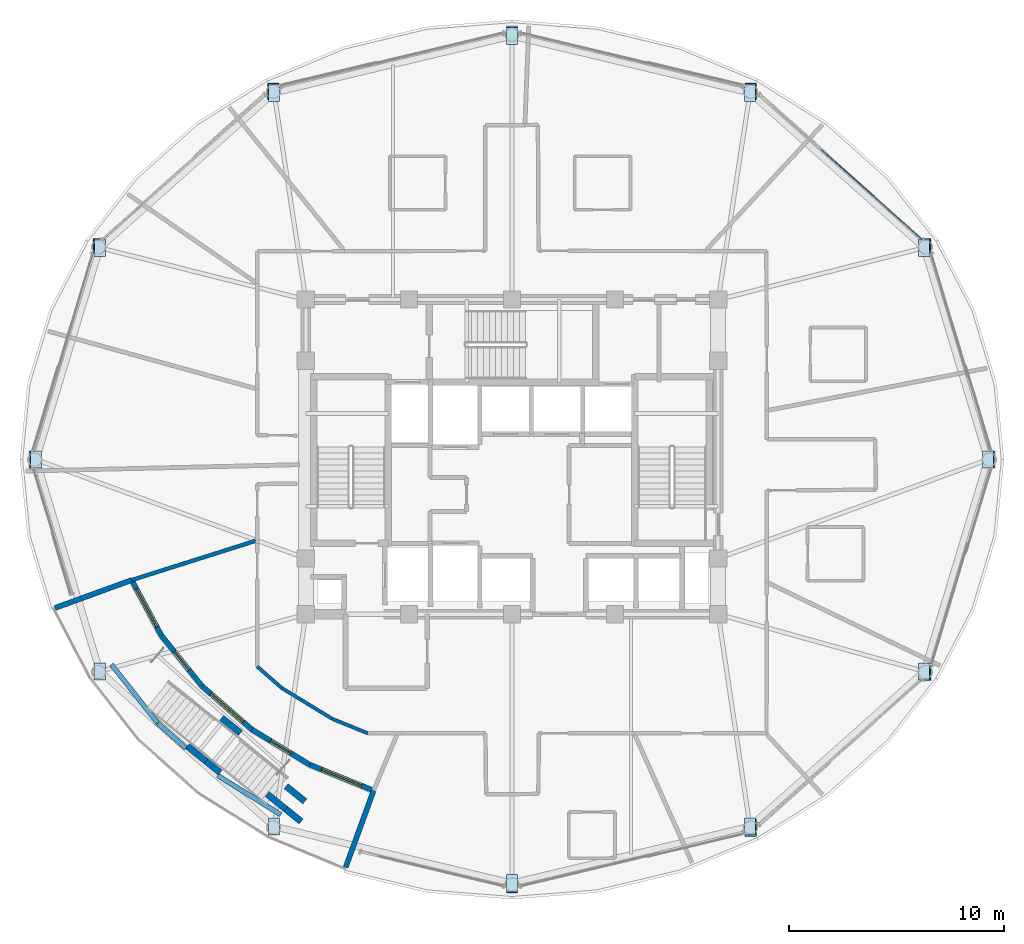
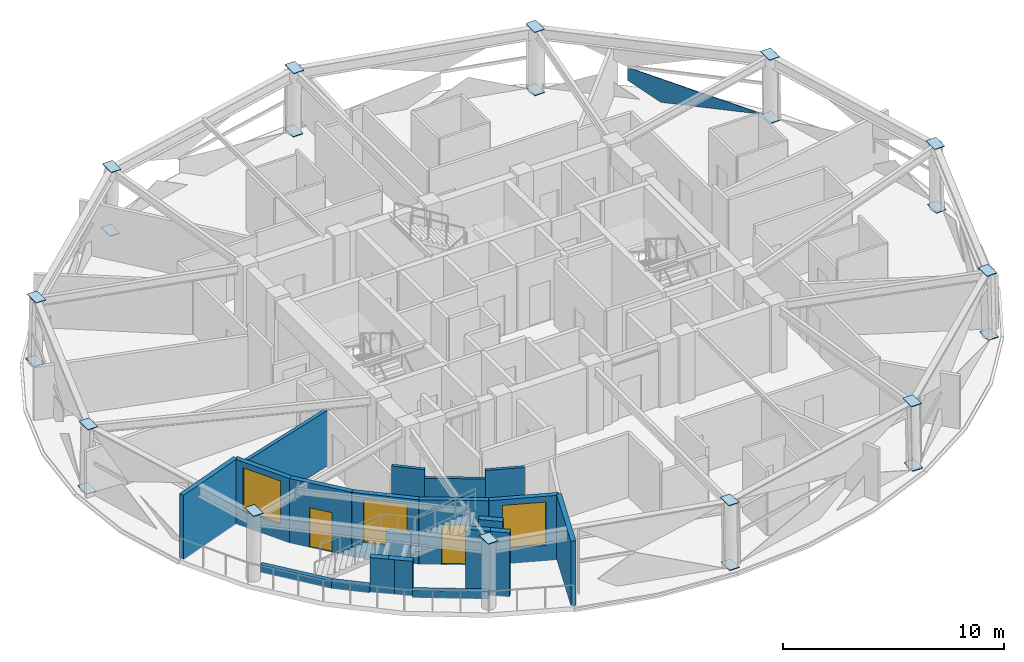
# One storey, part 9 of 17: 23 plates, 20 walls, 3 windows, 2 doors, 5 openings, 1 element without a shape of its own.
"""IFC4 building model written with IfcOpenShell, lengths in metres."""

from ifc_helpers import new_model, si_unit, direction, frame, frame_2d, origin, place, context, subcontext, project, spatial, polyline, rectangle, outline, extrude, material, layer, layer_set, type_object, element, fill, aggregate, save


model = new_model("IFC4")

# Units and contexts
model_context = context("Model", 3, precision=1e-05, world=origin(), true_north=direction((0.0, 1.0)))
body_context = subcontext(model_context, "Body", "Model", "MODEL_VIEW")
ifc_project = project(units=[si_unit("LENGTHUNIT", "METRE"), si_unit("AREAUNIT", "SQUARE_METRE"), si_unit("VOLUMEUNIT", "CUBIC_METRE"), si_unit("PLANEANGLEUNIT", "RADIAN"), si_unit("MASSUNIT", "GRAM", prefix="KILO")], contexts=[model_context])

# Site, building, storey
site_placement = place(None, origin())
site = spatial("IfcSite", under=ifc_project, at=site_placement, CompositionType="ELEMENT")
building_placement = place(site_placement, origin())
building = spatial("IfcBuilding", under=site, at=building_placement, Name="Vantalir Tower", CompositionType="ELEMENT")
storey_placement = place(building_placement, frame((0.0, 0.0, 208.64990234375)))
storey = spatial("IfcBuildingStorey", under=building, at=storey_placement, Name="L52", CompositionType="ELEMENT", Elevation=208.64990234375)

# Curtain wall, plate
ifc_material_1 = material(Name="Champagne-silver PVDF aluminium and double-silver Low-E glass", Category="aluminium")
ifc_layer_1 = layer(ifc_material_1, 0.2099609375)
ifc_layer_set_1 = layer_set([ifc_layer_1], Name="Champagne-silver PVDF aluminium and double-silver Low-E glass")
curtain_wall_type = type_object("IfcCurtainWallType", Name="CW-DIAMOND-Z3", PredefinedType="USERDEFINED", material=ifc_layer_set_1)
curtain_wall_placement = place(storey_placement, origin())
curtain_wall = element("IfcCurtainWall", 1, at=curtain_wall_placement, inside=storey, type_object=curtain_wall_type, Name="L52 Quilted Pyramid-Diamond Curtain Wall S02", ObjectType="UNITISED CURTAIN WALL", PredefinedType="USERDEFINED")
ifc_material_2 = material(Name="Double-silver Low-E acoustic glass IGU", Category="glass")
ifc_layer_2 = layer(ifc_material_2, 0.031982421875)
ifc_layer_set_2 = layer_set([ifc_layer_2], Name="Double-silver Low-E acoustic glass IGU")
plate_type_1 = type_object("IfcPlateType", Name="CWP-IGU-32", PredefinedType="CURTAIN_PANEL", material=ifc_layer_set_2)
plate_1_placement = place(storey_placement, frame((50.602783203125, 35.273681640625, 0.046630859375), z_axis=(0.665323940751, 0.746536204995, 0.005267684086), x_axis=(-0.746546742623, 0.665332968084, 5.157967e-05)))
plate_1 = element("IfcPlate", 2, at=plate_1_placement, type_object=plate_type_1, Name="CW-L52-S02 Pyramid Diamond Facet 1L", PredefinedType="CURTAIN_PANEL", context=body_context, shape_type="SweptSolid", body=[
    extrude(outline(polyline([(0.0, 0.0), (4.7473221978348, 2.1141942363467336e-18), (6.284743695583536, 0.9974924102488022), (6.284836928178147, 1.7257747199104982), (0.0, 0.0)])), origin(), (0.0, 0.0, -1.0), 0.031982421875),
])
aggregate(curtain_wall, [plate_1])

# Plates
ifc_material_3 = material(Name="Steel S460", Category="steel")
ifc_layer_3 = layer(ifc_material_3, 0.031982421875)
ifc_layer_set_3 = layer_set([ifc_layer_3], Name="Steel S460")
plate_type_2 = type_object("IfcPlateType", Name="PLT-KN-Z3", PredefinedType="USERDEFINED", material=ifc_layer_set_3)
plate_2_placement = place(storey_placement, frame((53.400634765625, 25.39990234375, 3.5888671875), z_axis=(-0.020193157439, 0.0, 0.999796097408), x_axis=(0.0, -1.0, 0.0)))
element("IfcPlate", 3, at=plate_2_placement, inside=storey, type_object=plate_type_2, Name="L52 Ring Column Top Cap RC01", ObjectType="FLANGE_PLATE", PredefinedType="USERDEFINED", context=body_context, shape_type="SweptSolid", body=[
    extrude(outline(polyline([(0.0, 0.0), (0.7998046875, 0.0), (0.7998046875, 0.5198813957890405), (0.0, 0.5198813957890405), (0.0, 0.0)])), origin(), (0.0, 0.0, -1.0), 0.031982421875),
])
plate_3_placement = place(storey_placement, frame((53.472900390625, 25.39990234375, 0.0478515625), z_axis=(-0.020183680947, 0.0, 0.999796288763), x_axis=(0.0, -1.0, 0.0)))
element("IfcPlate", 4, at=plate_3_placement, inside=storey, type_object=plate_type_2, Name="L52 Ring Column Base Cap RC01", ObjectType="FLANGE_PLATE", PredefinedType="USERDEFINED", context=body_context, shape_type="SweptSolid", body=[
    extrude(outline(polyline([(0.0, 0.0), (0.7998046875, 0.0), (0.7998046875, 0.5201254866564985), (0.0, 0.5201254866564985), (0.0, 0.0)])), origin(), (0.0, 0.0, -1.0), 0.031982421875),
])
plate_4_placement = place(storey_placement, frame((50.431640625, 35.2626953125, 3.59326171875), z_axis=(-0.017612593845, -0.009306866435, 0.9998015697), x_axis=(-2.712488e-06, -0.999956676293, -0.009308358062)))
element("IfcPlate", 5, at=plate_4_placement, inside=storey, type_object=plate_type_2, Name="L52 Ring Column Top Cap RC02", ObjectType="FLANGE_PLATE", PredefinedType="USERDEFINED", context=body_context, shape_type="SweptSolid", body=[
    extrude(outline(polyline([(0.0, 0.0), (0.7998404859950212, -8.131516293641283e-20), (0.7999968493209326, 0.5198581977690956), (-8.549417365676687e-05, 0.519853857324311), (0.0, 0.0)])), origin(), (0.0, 0.0, -1.0), 0.031982421875),
])
plate_5_placement = place(storey_placement, frame((50.494140625, 35.295654296875, 0.05224609375), z_axis=(-0.017377848445, -0.009154345358, 0.999807085564), x_axis=(2.4272e-08, -0.999958085448, -0.009155727508)))
element("IfcPlate", 6, at=plate_5_placement, inside=storey, type_object=plate_type_2, Name="L52 Ring Column Base Cap RC02", ObjectType="FLANGE_PLATE", PredefinedType="USERDEFINED", context=body_context, shape_type="SweptSolid", body=[
    extrude(outline(polyline([(0.0, 0.0), (0.8000823529882628, 0.0), (0.7999996600577103, 0.5198538723705918), (0.0001614374614026997, 0.5198539112091117), (0.0, 0.0)])), origin(), (0.0, 0.0, -1.0), 0.031982421875),
])
plate_6_placement = place(storey_placement, frame((42.31982421875, 42.483642578125, 3.597900390625), z_axis=(-0.010326737224, -0.016170352113, 0.999815922163), x_axis=(0.0, -0.999869237363, -0.016171214397)))
element("IfcPlate", 7, at=plate_6_placement, inside=storey, type_object=plate_type_2, Name="L52 Ring Column Top Cap RC03", ObjectType="FLANGE_PLATE", PredefinedType="USERDEFINED", context=body_context, shape_type="SweptSolid", body=[
    extrude(outline(polyline([(0.0, 0.0), (0.8001534583011936, -2.710505431213761e-20), (0.8000666011926139, 0.5200472612997626), (-8.68571085797203e-05, 0.5200472612997626), (0.0, 0.0)])), origin(), (0.0, 0.0, -1.0), 0.031982421875),
])
plate_7_placement = place(storey_placement, frame((42.3564453125, 42.5400390625, 0.056884765625), z_axis=(-0.0103267364, -0.016175286827, 0.999815842349), x_axis=(0.0, -0.999869157536, -0.016176149374)))
element("IfcPlate", 8, at=plate_7_placement, inside=storey, type_object=plate_type_2, Name="L52 Ring Column Base Cap RC03", ObjectType="FLANGE_PLATE", PredefinedType="USERDEFINED", context=body_context, shape_type="SweptSolid", body=[
    extrude(outline(polyline([(0.0, 0.0), (0.7999093496104085, 0.0), (0.7998224659956065, 0.5200472612953351), (-8.688361480204548e-05, 0.5200472612953351), (0.0, 0.0)])), origin(), (0.0, 0.0, -1.0), 0.031982421875),
])
for number, where, z_axis, x_axis, name in (
    (9, (31.239990234375, 45.12646484375, 3.6015625), (0.0, -0.018617041502, 0.999826687864), (0.0, -0.999826687864, -0.018617041502), "L52 Ring Column Top Cap RC04"),
    (10, (31.239990234375, 45.19189453125, 0.060546875), (0.0, -0.018617041502, 0.999826687864), (0.0, -0.999826687864, -0.018617041502), "L52 Ring Column Base Cap RC04"),
):
    element("IfcPlate", number, at=place(storey_placement, frame(where, z_axis=z_axis, x_axis=x_axis)), inside=storey, type_object=plate_type_2, Name=name, ObjectType="FLANGE_PLATE", PredefinedType="USERDEFINED", context=body_context, shape_type="SweptSolid", body=[
        extrude(outline(polyline([(0.0, 0.0), (0.799943327386498, 0.0), (0.799943327386498, 0.52001953125), (0.0, 0.52001953125), (0.0, 0.0)])), origin(), (0.0, 0.0, -1.0), 0.031982421875),
    ])
plate_8_placement = place(storey_placement, frame((20.16015625, 42.483642578125, 3.603271484375), z_axis=(0.010326737224, -0.016170352113, 0.999815922163), x_axis=(0.0, -0.999869237363, -0.016171214397)))
element("IfcPlate", 11, at=plate_8_placement, inside=storey, type_object=plate_type_2, Name="L52 Ring Column Top Cap RC05", ObjectType="FLANGE_PLATE", PredefinedType="USERDEFINED", context=body_context, shape_type="SweptSolid", body=[
    extrude(outline(polyline([(0.0, 0.0), (0.8001534583011936, 2.710505431213761e-20), (0.8002403154097733, 0.5200472612997626), (8.68571085797203e-05, 0.5200472612997626), (0.0, 0.0)])), origin(), (0.0, 0.0, -1.0), 0.031982421875),
])
plate_9_placement = place(storey_placement, frame((20.12353515625, 42.5400390625, 0.062255859375), z_axis=(0.0103267364, -0.016175286827, 0.999815842349), x_axis=(0.0, -0.999869157536, -0.016176149374)))
element("IfcPlate", 12, at=plate_9_placement, inside=storey, type_object=plate_type_2, Name="L52 Ring Column Base Cap RC05", ObjectType="FLANGE_PLATE", PredefinedType="USERDEFINED", context=body_context, shape_type="SweptSolid", body=[
    extrude(outline(polyline([(0.0, 0.0), (0.7999093496104085, 0.0), (0.7999962332252105, 0.5200472612953352), (8.688361480204548e-05, 0.5200472612953351), (0.0, 0.0)])), origin(), (0.0, 0.0, -1.0), 0.031982421875),
])
plate_10_placement = place(storey_placement, frame((12.048583984375, 35.2626953125, 3.602294921875), z_axis=(0.017612593845, -0.009306866435, 0.9998015697), x_axis=(-2.711668e-06, -0.999956677182, -0.009308262518)))
element("IfcPlate", 13, at=plate_10_placement, inside=storey, type_object=plate_type_2, Name="L52 Ring Column Top Cap RC06", ObjectType="FLANGE_PLATE", PredefinedType="USERDEFINED", context=body_context, shape_type="SweptSolid", body=[
    extrude(outline(polyline([(0.0, 0.0), (0.8000823435063629, 0.0), (0.7999231599509843, 0.5198581969131749), (8.267396773287177e-05, 0.5198538577804668), (0.0, 0.0)])), origin(), (0.0, 0.0, -1.0), 0.031982421875),
])
plate_11_placement = place(storey_placement, frame((11.986083984375, 35.29541015625, 0.061279296875), z_axis=(0.017377848445, -0.009154345358, 0.999807085564), x_axis=(2.4279e-08, -0.999958085441, -0.009155728352)))
element("IfcPlate", 14, at=plate_11_placement, inside=storey, type_object=plate_type_2, Name="L52 Ring Column Base Cap RC06", ObjectType="FLANGE_PLATE", PredefinedType="USERDEFINED", context=body_context, shape_type="SweptSolid", body=[
    extrude(outline(polyline([(0.0, 0.0), (0.7998382225963084, 0.0), (0.7999209407699095, 0.5198538723665758), (-0.0001614122183523162, 0.5198539112169501), (0.0, 0.0)])), origin(), (0.0, 0.0, -1.0), 0.031982421875),
])
plate_12_placement = place(storey_placement, frame((9.07958984375, 25.39990234375, 3.599365234375), z_axis=(0.020193157439, 0.0, 0.999796097408), x_axis=(0.0, -1.0, 0.0)))
element("IfcPlate", 15, at=plate_12_placement, inside=storey, type_object=plate_type_2, Name="L52 Ring Column Top Cap RC07", ObjectType="FLANGE_PLATE", PredefinedType="USERDEFINED", context=body_context, shape_type="SweptSolid", body=[
    extrude(outline(polyline([(0.0, 0.0), (0.7998046875, 0.0), (0.7998046875, 0.5198813957890405), (0.0, 0.5198813957890405), (0.0, 0.0)])), origin(), (0.0, 0.0, -1.0), 0.031982421875),
])
plate_13_placement = place(storey_placement, frame((9.007080078125, 25.39990234375, 0.058349609375), z_axis=(0.020183680947, 0.0, 0.999796288763), x_axis=(0.0, -1.0, 0.0)))
element("IfcPlate", 16, at=plate_13_placement, inside=storey, type_object=plate_type_2, Name="L52 Ring Column Base Cap RC07", ObjectType="FLANGE_PLATE", PredefinedType="USERDEFINED", context=body_context, shape_type="SweptSolid", body=[
    extrude(outline(polyline([(0.0, 0.0), (0.7998046875, 0.0), (0.7998046875, 0.5201254866564985), (0.0, 0.5201254866564985), (0.0, 0.0)])), origin(), (0.0, 0.0, -1.0), 0.031982421875),
])
plate_14_placement = place(storey_placement, frame((12.04833984375, 15.5361328125, 3.7490234375), z_axis=(0.016900409973, 0.008849297262, 0.999818016481), x_axis=(-2.2825e-08, -0.999960833012, 0.008850561703)))
element("IfcPlate", 17, at=plate_14_placement, inside=storey, type_object=plate_type_2, Name="L52 Ring Column Top Cap RC08", ObjectType="FLANGE_PLATE", PredefinedType="USERDEFINED", context=body_context, shape_type="SweptSolid", body=[
    extrude(outline(polyline([(0.0, 0.0), (0.799836024227505, -2.710505431213761e-20), (0.8000023552807156, 0.520093830417702), (-7.780000953635313e-05, 0.5200937938940344), (0.0, 0.0)])), origin(), (0.0, 0.0, -1.0), 0.031982421875),
])
plate_15_placement = place(storey_placement, frame((20.1591796875, 8.31640625, 3.744384765625), z_axis=(0.009626441721, 0.015410243606, 0.999834914379), x_axis=(-1.445737e-06, -0.999881243925, 0.015410971593)))
element("IfcPlate", 18, at=plate_15_placement, inside=storey, type_object=plate_type_2, Name="L52 Ring Column Top Cap RC09", ObjectType="FLANGE_PLATE", PredefinedType="USERDEFINED", context=body_context, shape_type="SweptSolid", body=[
    extrude(outline(polyline([(0.0, 0.0), (0.8001457021222145, -2.710505431213761e-20), (0.8000659389818389, 0.5200447843475233), (0.0001681109356785801, 0.5200424709984204), (0.0, 0.0)])), origin(), (0.0, 0.0, -1.0), 0.031982421875),
])
for number, where, z_axis, x_axis, name in (
    (19, (31.239990234375, 5.67333984375, 3.586669921875), (0.0, 0.018617041502, 0.999826687864), (0.0, -0.999826687864, 0.018617041502), "L52 Ring Column Top Cap RC10"),
    (20, (31.239990234375, 5.60791015625, 0.045654296875), (0.0, 0.018617041502, 0.999826687864), (0.0, -0.999826687864, 0.018617041502), "L52 Ring Column Base Cap RC10"),
):
    element("IfcPlate", number, at=place(storey_placement, frame(where, z_axis=z_axis, x_axis=x_axis)), inside=storey, type_object=plate_type_2, Name=name, ObjectType="FLANGE_PLATE", PredefinedType="USERDEFINED", context=body_context, shape_type="SweptSolid", body=[
        extrude(outline(polyline([(0.0, 0.0), (0.799943327386498, 0.0), (0.799943327386498, 0.52001953125), (0.0, 0.52001953125), (0.0, 0.0)])), origin(), (0.0, 0.0, -1.0), 0.031982421875),
    ])
plate_16_placement = place(storey_placement, frame((42.31982421875, 8.31640625, 3.5849609375), z_axis=(-0.010326737224, 0.016170352113, 0.999815922163), x_axis=(0.0, -0.999869237363, 0.016171214397)))
element("IfcPlate", 21, at=plate_16_placement, inside=storey, type_object=plate_type_2, Name="L52 Ring Column Top Cap RC11", ObjectType="FLANGE_PLATE", PredefinedType="USERDEFINED", context=body_context, shape_type="SweptSolid", body=[
    extrude(outline(polyline([(0.0, 0.0), (0.8001534583011936, 2.710505431213761e-20), (0.8002403154097733, 0.5200472612997626), (8.68571085797203e-05, 0.5200472612997626), (0.0, 0.0)])), origin(), (0.0, 0.0, -1.0), 0.031982421875),
])
plate_17_placement = place(storey_placement, frame((42.3564453125, 8.259765625, 0.0439453125), z_axis=(-0.0103267364, 0.016175286827, 0.999815842349), x_axis=(0.0, -0.999869157536, 0.016176149374)))
element("IfcPlate", 22, at=plate_17_placement, inside=storey, type_object=plate_type_2, Name="L52 Ring Column Base Cap RC11", ObjectType="FLANGE_PLATE", PredefinedType="USERDEFINED", context=body_context, shape_type="SweptSolid", body=[
    extrude(outline(polyline([(0.0, 0.0), (0.7999093496104085, 0.0), (0.7999962332252105, 0.5200472612953352), (8.688361480204548e-05, 0.5200472612953351), (0.0, 0.0)])), origin(), (0.0, 0.0, -1.0), 0.031982421875),
])
plate_18_placement = place(storey_placement, frame((50.431640625, 15.5361328125, 3.585693359375), z_axis=(-0.017612593845, 0.009306866435, 0.9998015697), x_axis=(2.661642e-06, -0.999956676301, 0.009308357166)))
element("IfcPlate", 23, at=plate_18_placement, inside=storey, type_object=plate_type_2, Name="L52 Ring Column Top Cap RC12", ObjectType="FLANGE_PLATE", PredefinedType="USERDEFINED", context=body_context, shape_type="SweptSolid", body=[
    extrude(outline(polyline([(0.0, 0.0), (0.8000846160429455, -2.710505431213761e-20), (0.7999259537319866, 0.5198538980038114), (8.774028510258986e-05, 0.5198581570859899), (0.0, 0.0)])), origin(), (0.0, 0.0, -1.0), 0.031982421875),
])
plate_19_placement = place(storey_placement, frame((50.494140625, 15.50341796875, 0.044921875), z_axis=(-0.017377848445, 0.009154345358, 0.999807085564), x_axis=(-2.4272e-08, -0.999958085448, 0.009155727508)))
element("IfcPlate", 24, at=plate_19_placement, inside=storey, type_object=plate_type_2, Name="L52 Ring Column Base Cap RC12", ObjectType="FLANGE_PLATE", PredefinedType="USERDEFINED", context=body_context, shape_type="SweptSolid", body=[
    extrude(outline(polyline([(0.0, 0.0), (0.8000823529882628, 0.0), (0.79992091552686, 0.5198539112091117), (8.26929305524959e-05, 0.5198538723705917), (0.0, 0.0)])), origin(), (0.0, 0.0, -1.0), 0.031982421875),
])

# Walls
ifc_material_4 = material(Name="Fire-rated hotel corridor acoustic partition", Category="gypsum")
ifc_layer_4 = layer(ifc_material_4, 0.159912109375)
ifc_layer_set_4 = layer_set([ifc_layer_4], Name="Fire-rated hotel corridor acoustic partition")
wall_type_1 = type_object("IfcWallType", Name="WL-CORR-160", PredefinedType="PARTITIONING", material=ifc_layer_set_4)
wall_1_placement = place(storey_placement, frame((24.7919921875, 12.251953125, 0.0), z_axis=(0.0, 0.0, 1.0), x_axis=(-0.926357707628, 0.376644922331, 0.0)))
element("IfcWall", 25, at=wall_1_placement, inside=storey, type_object=wall_type_1, Name="L52 Corridor Partition 27", PredefinedType="PARTITIONING", context=body_context, shape_type="SweptSolid", body=[
    extrude(rectangle(XDim=1.784423828125, YDim=0.159912109375, at=frame_2d((0.89208984375, 0.0))), origin(), (0.0, 0.0, 1.0), 3.550048828125),
])
wall_2_placement = place(storey_placement, frame((23.138916015625, 12.924072265625, 0.0), z_axis=(0.0, 0.0, 1.0), x_axis=(-0.85378945304, 0.520618449421, 0.0)))
element("IfcWall", 26, at=wall_2_placement, inside=storey, type_object=wall_type_1, Name="L52 Corridor Partition 28", PredefinedType="PARTITIONING", context=body_context, shape_type="SweptSolid", body=[
    extrude(rectangle(XDim=2.755859375, YDim=0.159912109375, at=frame_2d((1.3779296875, 0.0))), origin(), (0.0, 0.0, 1.0), 3.0810546875),
])
wall_3_placement = place(storey_placement, frame((20.785888671875, 14.35888671875, 0.0), z_axis=(0.0, 0.0, 1.0), x_axis=(-0.752715630193, 0.658345790648, 0.0)))
element("IfcWall", 27, at=wall_3_placement, inside=storey, type_object=wall_type_1, Name="L52 Corridor Partition 29", PredefinedType="PARTITIONING", context=body_context, shape_type="SweptSolid", body=[
    extrude(rectangle(XDim=1.523681640625, YDim=0.159912109375, at=frame_2d((0.76171875, 0.0))), origin(), (0.0, 0.0, 1.0), 3.550048828125),
])
ifc_material_5 = material(Name="Precast concrete C40/50 insulated sky-garden wall", Category="concrete")
ifc_layer_5 = layer(ifc_material_5, 0.239990234375)
ifc_layer_set_5 = layer_set([ifc_layer_5], Name="Precast concrete C40/50 insulated sky-garden wall")
wall_type_2 = type_object("IfcWallType", Name="WL-EXT-SG-240", PredefinedType="SOLIDWALL", material=ifc_layer_set_5)
wall_4_placement = place(storey_placement, frame((10.221923828125, 18.090087890625, 0.0), z_axis=(0.0, 0.0, 1.0), x_axis=(0.939658265612, 0.342114518643, 0.0)))
element("IfcWall", 28, at=wall_4_placement, inside=storey, type_object=wall_type_2, Name="L52 SG3 Sky-Garden Return Wall A", PredefinedType="SOLIDWALL", context=body_context, shape_type="SweptSolid", body=[
    extrude(rectangle(XDim=3.79931640625, YDim=0.239990234375, at=frame_2d((1.899658203125, 0.0))), origin(), (0.0, 0.0, 1.0), 3.570068359375),
])
wall_5_placement = place(storey_placement, frame((25.054931640625, 9.5859375, 0.0), z_axis=(0.0, 0.0, 1.0), x_axis=(-0.342088633789, -0.939667689469, 0.0)))
element("IfcWall", 29, at=wall_5_placement, inside=storey, type_object=wall_type_2, Name="L52 SG3 Sky-Garden Return Wall B", PredefinedType="SOLIDWALL", context=body_context, shape_type="SweptSolid", body=[
    extrude(rectangle(XDim=3.80029296875, YDim=0.239990234375, at=frame_2d((1.900146484375, 0.0))), origin(), (0.0, 0.0, 1.0), 3.570068359375),
])

# Wall, opening, window
wall_6_placement = place(storey_placement, frame((13.7919921875, 19.389892578125, 0.0), z_axis=(0.0, 0.0, 1.0), x_axis=(0.47234121734, -0.881415778394, 0.0)))
wall_6 = element("IfcWall", 30, at=wall_6_placement, inside=storey, type_object=wall_type_2, Name="L52 SG3 Sky-Garden Lounge Wall 1", PredefinedType="SOLIDWALL", context=body_context, shape_type="SweptSolid", body=[
    extrude(rectangle(XDim=2.9404296875, YDim=0.239990234375, at=frame_2d((1.47021484375, 0.0))), origin(), (0.0, 0.0, 1.0), 3.570068359375),
])
opening_1_placement = place(wall_6_placement, frame((0.469970703125, 0.0, 0.85009765625)))
opening_1 = element("IfcOpeningElement", 31, at=opening_1_placement, cuts=wall_6, Name="Opening WN-3", PredefinedType="OPENING", context=body_context, shape_type="SweptSolid", body=[
    extrude(rectangle(XDim=2.0, YDim=2.39990234375, at=frame_2d((1.0, 1.199951171875))), frame((0.0, 0.1298828125, 0.0), z_axis=(0.0, -1.0, 0.0), x_axis=(1.0, 0.0, 0.0)), (0.0, 0.0, 1.0), 0.260009765625),
])
ifc_material_6 = material(Name="Double-silver Low-E sky-garden lounge window", Category="glass")
window_type = type_object("IfcWindowType", Name="WIN-SG-2000x2400", PartitioningType="SINGLE_PANEL", PredefinedType="WINDOW", material=ifc_material_6)
window_1_placement = place(opening_1_placement, origin())
window_1 = element("IfcWindow", 32, at=window_1_placement, inside=storey, type_object=window_type, Name="L52 SG3 Sky-Garden Window 1", OverallHeight=2.39990234375, OverallWidth=2.0, PartitioningType="SINGLE_PANEL", PredefinedType="WINDOW", context=body_context, shape_type="SweptSolid", body=[
    extrude(rectangle(XDim=2.0, YDim=2.39990234375, at=frame_2d((1.0, 1.199951171875))), frame((0.0, 0.030029296875, 0.0), z_axis=(0.0, -1.0, 0.0), x_axis=(1.0, 0.0, 0.0)), (0.0, 0.0, 1.0), 0.06005859375),
])
fill(opening_1, window_1)

# Wall, opening, door
wall_7_placement = place(storey_placement, frame((15.180908203125, 16.798095703125, 0.0), z_axis=(0.0, 0.0, 1.0), x_axis=(0.626802600126, -0.779178092913, 0.0)))
wall_7 = element("IfcWall", 33, at=wall_7_placement, inside=storey, type_object=wall_type_2, Name="L52 SG3 Sky-Garden Lounge Wall 2", PredefinedType="SOLIDWALL", context=body_context, shape_type="SweptSolid", body=[
    extrude(rectangle(XDim=3.005859375, YDim=0.239990234375, at=frame_2d((1.5029296875, 0.0))), origin(), (0.0, 0.0, 1.0), 3.570068359375),
])
opening_2_placement = place(wall_7_placement, frame((0.952880859375, 0.0, 0.0)))
opening_2 = element("IfcOpeningElement", 34, at=opening_2_placement, cuts=wall_7, Name="Opening D-TR", PredefinedType="OPENING", context=body_context, shape_type="SweptSolid", body=[
    extrude(rectangle(XDim=1.10009765625, YDim=2.199951171875, at=frame_2d((0.550048828125, 1.10009765625))), frame((0.0, 0.1298828125, 0.0), z_axis=(0.0, -1.0, 0.0), x_axis=(1.0, 0.0, 0.0)), (0.0, 0.0, 1.0), 0.260009765625),
])
ifc_material_7 = material(Name="Thermally broken Low-E glazed terrace door", Category="steel")
door_type = type_object("IfcDoorType", Name="DR-EXT-TERR-1100", OperationType="NOTDEFINED", PredefinedType="DOOR", material=ifc_material_7)
door_1_placement = place(opening_2_placement, frame((1.10009765625, 0.0, 0.0), z_axis=(0.0, 0.0, 1.0), x_axis=(-1.0, 0.0, 0.0)))
door_1 = element("IfcDoor", 35, at=door_1_placement, inside=storey, type_object=door_type, Name="L52 SG3 Sky-Garden Terrace Door 1", OperationType="SINGLE_SWING_LEFT", OverallHeight=2.199951171875, OverallWidth=1.10009765625, PredefinedType="DOOR", context=body_context, shape_type="SweptSolid", body=[
    extrude(rectangle(XDim=1.10009765625, YDim=2.199951171875, at=frame_2d((0.550048828125, 1.10009765625))), frame((0.0, 0.02490234375, 0.0), z_axis=(0.0, -1.0, 0.0), x_axis=(1.0, 0.0, 0.0)), (0.0, 0.0, 1.0), 0.050048828125),
])
fill(opening_2, door_1)

# Wall, opening, window
wall_8_placement = place(storey_placement, frame((17.06494140625, 14.4560546875, 0.0), z_axis=(0.0, 0.0, 1.0), x_axis=(0.75430835603, -0.656520299781, 0.0)))
wall_8 = element("IfcWall", 36, at=wall_8_placement, inside=storey, type_object=wall_type_2, Name="L52 SG3 Sky-Garden Lounge Wall 3", PredefinedType="SOLIDWALL", context=body_context, shape_type="SweptSolid", body=[
    extrude(rectangle(XDim=3.078369140625, YDim=0.239990234375, at=frame_2d((1.5390625, 0.0))), origin(), (0.0, 0.0, 1.0), 3.570068359375),
])
opening_3_placement = place(wall_8_placement, frame((0.5390625, 0.0, 0.85009765625)))
opening_3 = element("IfcOpeningElement", 37, at=opening_3_placement, cuts=wall_8, Name="Opening WN-3", PredefinedType="OPENING", context=body_context, shape_type="SweptSolid", body=[
    extrude(rectangle(XDim=2.0, YDim=2.39990234375, at=frame_2d((1.0, 1.199951171875))), frame((0.0, 0.1298828125, 0.0), z_axis=(0.0, -1.0, 0.0), x_axis=(1.0, 0.0, 0.0)), (0.0, 0.0, 1.0), 0.260009765625),
])
window_2_placement = place(opening_3_placement, origin())
window_2 = element("IfcWindow", 38, at=window_2_placement, inside=storey, type_object=window_type, Name="L52 SG3 Sky-Garden Window 3", OverallHeight=2.39990234375, OverallWidth=2.0, PartitioningType="SINGLE_PANEL", PredefinedType="WINDOW", context=body_context, shape_type="SweptSolid", body=[
    extrude(rectangle(XDim=2.0, YDim=2.39990234375, at=frame_2d((1.0, 1.199951171875))), frame((0.0, 0.030029296875, 0.0), z_axis=(0.0, -1.0, 0.0), x_axis=(1.0, 0.0, 0.0)), (0.0, 0.0, 1.0), 0.06005859375),
])
fill(opening_3, window_2)

# Wall, opening, door
wall_9_placement = place(storey_placement, frame((19.386962890625, 12.43505859375, 0.0), z_axis=(0.0, 0.0, 1.0), x_axis=(0.853890229522, -0.520453144795, 0.0)))
wall_9 = element("IfcWall", 39, at=wall_9_placement, inside=storey, type_object=wall_type_2, Name="L52 SG3 Sky-Garden Lounge Wall 4", PredefinedType="SOLIDWALL", context=body_context, shape_type="SweptSolid", body=[
    extrude(rectangle(XDim=3.1513671875, YDim=0.239990234375, at=frame_2d((1.57568359375, 0.0))), origin(), (0.0, 0.0, 1.0), 3.570068359375),
])
opening_4_placement = place(wall_9_placement, frame((1.02587890625, 0.0, 0.0)))
opening_4 = element("IfcOpeningElement", 40, at=opening_4_placement, cuts=wall_9, Name="Opening D-TR", PredefinedType="OPENING", context=body_context, shape_type="SweptSolid", body=[
    extrude(rectangle(XDim=1.10009765625, YDim=2.199951171875, at=frame_2d((0.550048828125, 1.10009765625))), frame((0.0, 0.1298828125, 0.0), z_axis=(0.0, -1.0, 0.0), x_axis=(1.0, 0.0, 0.0)), (0.0, 0.0, 1.0), 0.260009765625),
])
door_2_placement = place(opening_4_placement, frame((1.10009765625, 0.0, 0.0), z_axis=(0.0, 0.0, 1.0), x_axis=(-1.0, 0.0, 0.0)))
door_2 = element("IfcDoor", 41, at=door_2_placement, inside=storey, type_object=door_type, Name="L52 SG3 Sky-Garden Terrace Door 3", OperationType="SINGLE_SWING_RIGHT", OverallHeight=2.199951171875, OverallWidth=1.10009765625, PredefinedType="DOOR", context=body_context, shape_type="SweptSolid", body=[
    extrude(rectangle(XDim=1.10009765625, YDim=2.199951171875, at=frame_2d((0.550048828125, 1.10009765625))), frame((0.0, 0.02490234375, 0.0), z_axis=(0.0, -1.0, 0.0), x_axis=(1.0, 0.0, 0.0)), (0.0, 0.0, 1.0), 0.050048828125),
])
fill(opening_4, door_2)

# Wall, opening, window
wall_10_placement = place(storey_placement, frame((22.077880859375, 10.794921875, 0.0), z_axis=(0.0, 0.0, 1.0), x_axis=(0.92651459122, -0.376258836782, 0.0)))
wall_10 = element("IfcWall", 42, at=wall_10_placement, inside=storey, type_object=wall_type_2, Name="L52 SG3 Sky-Garden Lounge Wall 5", PredefinedType="SOLIDWALL", context=body_context, shape_type="SweptSolid", body=[
    extrude(rectangle(XDim=3.213134765625, YDim=0.239990234375, at=frame_2d((1.6064453125, 0.0))), origin(), (0.0, 0.0, 1.0), 3.570068359375),
])
opening_5_placement = place(wall_10_placement, frame((0.60693359375, 0.0, 0.85009765625)))
opening_5 = element("IfcOpeningElement", 43, at=opening_5_placement, cuts=wall_10, Name="Opening WN-3", PredefinedType="OPENING", context=body_context, shape_type="SweptSolid", body=[
    extrude(rectangle(XDim=2.0, YDim=2.39990234375, at=frame_2d((1.0, 1.199951171875))), frame((0.0, 0.1298828125, 0.0), z_axis=(0.0, -1.0, 0.0), x_axis=(1.0, 0.0, 0.0)), (0.0, 0.0, 1.0), 0.260009765625),
])
window_3_placement = place(opening_5_placement, origin())
window_3 = element("IfcWindow", 44, at=window_3_placement, inside=storey, type_object=window_type, Name="L52 SG3 Sky-Garden Window 5", OverallHeight=2.39990234375, OverallWidth=2.0, PartitioningType="SINGLE_PANEL", PredefinedType="WINDOW", context=body_context, shape_type="SweptSolid", body=[
    extrude(rectangle(XDim=2.0, YDim=2.39990234375, at=frame_2d((1.0, 1.199951171875))), frame((0.0, 0.030029296875, 0.0), z_axis=(0.0, -1.0, 0.0), x_axis=(1.0, 0.0, 0.0)), (0.0, 0.0, 1.0), 0.06005859375),
])
fill(opening_5, window_3)

# Walls
ifc_material_8 = material(Name="Twin-stud acoustic fire-rated gypsum partition", Category="gypsum")
ifc_layer_6 = layer(ifc_material_8, 0.179931640625)
ifc_layer_set_6 = layer_set([ifc_layer_6], Name="Twin-stud acoustic fire-rated gypsum partition")
wall_type_3 = type_object("IfcWallType", Name="WL-GUEST-180", PredefinedType="PARTITIONING", material=ifc_layer_set_6)
wall_11_placement = place(storey_placement, frame((19.56005859375, 21.217041015625, 0.0), z_axis=(0.0, 0.0, 1.0), x_axis=(-0.953313962787, -0.301980940383, 0.0)))
element("IfcWall", 45, at=wall_11_placement, inside=storey, type_object=wall_type_3, Name="L52 Radial Suite Partition 08", PredefinedType="PARTITIONING", context=body_context, shape_type="SweptSolid", body=[
    extrude(rectangle(XDim=6.050537109375, YDim=0.179931640625, at=frame_2d((3.025390625, 0.0))), origin(), (0.0, 0.0, 1.0), 3.0810546875),
])
ifc_material_9 = material(Name="Concrete C40/50 sky-garden PLANTER kerb", Category="concrete")
ifc_layer_7 = layer(ifc_material_9, 0.219970703125)
ifc_layer_set_7 = layer_set([ifc_layer_7], Name="Concrete C40/50 sky-garden PLANTER kerb")
wall_type_4 = type_object("IfcWallType", Name="WL-PLANTER-220", PredefinedType="PARAPET", material=ifc_layer_set_7)
wall_12_placement = place(storey_placement, frame((12.85107421875, 15.452880859375, 0.0), z_axis=(0.0, 0.0, 1.0), x_axis=(0.619796966694, -0.784762206071, 0.0)))
element("IfcWall", 46, at=wall_12_placement, inside=storey, type_object=wall_type_4, Name="L52 SG3 Tropical Sky-Garden PLANTER Bed 1", PredefinedType="PARAPET", context=body_context, shape_type="SweptSolid", body=[
    extrude(rectangle(XDim=3.473388671875, YDim=0.219970703125, at=frame_2d((1.73681640625, 0.0))), origin(), (0.0, 0.0, 1.0), 0.420166015625),
])
wall_13_placement = place(storey_placement, frame((15.00390625, 12.72705078125, 0.0), z_axis=(0.0, 0.0, 1.0), x_axis=(0.748148423862, -0.663531412876, 0.0)))
element("IfcWall", 47, at=wall_13_placement, inside=storey, type_object=wall_type_4, Name="L52 SG3 Tropical Sky-Garden PLANTER Bed 2", PredefinedType="PARAPET", context=body_context, shape_type="SweptSolid", body=[
    extrude(rectangle(XDim=1.74853515625, YDim=0.219970703125, at=frame_2d((0.874267578125, 0.0))), origin(), (0.0, 0.0, 1.0), 0.420166015625),
])
wall_14_placement = place(storey_placement, frame((17.798095703125, 10.287109375, 0.0), z_axis=(0.0, 0.0, 1.0), x_axis=(0.84958665493, -0.527449064616, 0.0)))
element("IfcWall", 48, at=wall_14_placement, inside=storey, type_object=wall_type_4, Name="L52 SG3 Tropical Sky-Garden PLANTER Bed 3", PredefinedType="PARAPET", context=body_context, shape_type="SweptSolid", body=[
    extrude(rectangle(XDim=3.454345703125, YDim=0.219970703125, at=frame_2d((1.72705078125, 0.0))), origin(), (0.0, 0.0, 1.0), 0.420166015625),
])
ifc_material_10 = material(Name="Concrete C50/60", Category="concrete")
ifc_layer_8 = layer(ifc_material_10, 0.300048828125)
ifc_layer_set_8 = layer_set([ifc_layer_8], Name="Concrete C50/60")
wall_type_5 = type_object("IfcWallType", Name="WL-STAIR-300", PredefinedType="SHEAR", material=ifc_layer_set_8)
wall_15_placement = place(storey_placement, frame((16.383056640625, 11.655029296875, 0.0), z_axis=(0.0, 0.0, 1.0), x_axis=(0.778395859408, -0.627773753877, 0.0)))
element("IfcWall", 49, at=wall_15_placement, inside=storey, type_object=wall_type_5, Name="L52 Sky Garden Stair SG3 Support Pier M1", PredefinedType="SHEAR", context=body_context, shape_type="SweptSolid", body=[
    extrude(rectangle(XDim=1.1201171875, YDim=0.300048828125, at=frame_2d((0.56005859375, 0.0))), origin(), (0.0, 0.0, 1.0), 1.920166015625),
])
wall_16_placement = place(storey_placement, frame((17.037109375, 11.1279296875, 0.0), z_axis=(0.0, 0.0, 1.0), x_axis=(0.778502378651, -0.627641654477, 0.0)))
element("IfcWall", 50, at=wall_16_placement, inside=storey, type_object=wall_type_5, Name="L52 Sky Garden Stair SG3 Support Pier M2", PredefinedType="SHEAR", context=body_context, shape_type="SweptSolid", body=[
    extrude(rectangle(XDim=1.119873046875, YDim=0.300048828125, at=frame_2d((0.56005859375, 0.0))), origin(), (0.0, 0.0, 1.0), 1.920166015625),
])
wall_17_placement = place(storey_placement, frame((17.98388671875, 12.971923828125, 0.0), z_axis=(0.0, 0.0, 1.0), x_axis=(0.778588237104, -0.627535144071, 0.0)))
element("IfcWall", 51, at=wall_17_placement, inside=storey, type_object=wall_type_5, Name="L52 Sky Garden Stair SG3 Support Pier M3", PredefinedType="SHEAR", context=body_context, shape_type="SweptSolid", body=[
    extrude(rectangle(XDim=1.1201171875, YDim=0.300048828125, at=frame_2d((0.56005859375, 0.0))), origin(), (0.0, 0.0, 1.0), 1.920166015625),
])
wall_18_placement = place(storey_placement, frame((20.10400390625, 9.4189453125, 0.0), z_axis=(0.0, 0.0, 1.0), x_axis=(0.778588237104, -0.627535144071, 0.0)))
element("IfcWall", 52, at=wall_18_placement, inside=storey, type_object=wall_type_5, Name="L52 Sky Garden Stair SG3 Support Pier T1", PredefinedType="SHEAR", context=body_context, shape_type="SweptSolid", body=[
    extrude(rectangle(XDim=1.1201171875, YDim=0.300048828125, at=frame_2d((0.56005859375, 0.0))), origin(), (0.0, 0.0, 1.0), 3.550048828125),
])
wall_19_placement = place(storey_placement, frame((20.804931640625, 8.85400390625, 0.0), z_axis=(0.0, 0.0, 1.0), x_axis=(0.77901428343, -0.627006177173, 0.0)))
element("IfcWall", 53, at=wall_19_placement, inside=storey, type_object=wall_type_5, Name="L52 Sky Garden Stair SG3 Support Pier T2", PredefinedType="SHEAR", context=body_context, shape_type="SweptSolid", body=[
    extrude(rectangle(XDim=1.119384765625, YDim=0.300048828125, at=frame_2d((0.5595703125, 0.0))), origin(), (0.0, 0.0, 1.0), 3.550048828125),
])
wall_20_placement = place(storey_placement, frame((20.98095703125, 9.791015625, 0.0), z_axis=(0.0, 0.0, 1.0), x_axis=(0.778481742259, -0.627667250197, 0.0)))
element("IfcWall", 54, at=wall_20_placement, inside=storey, type_object=wall_type_5, Name="L52 Sky Garden Stair SG3 Support Pier T3", PredefinedType="SHEAR", context=body_context, shape_type="SweptSolid", body=[
    extrude(rectangle(XDim=1.1201171875, YDim=0.300048828125, at=frame_2d((0.56005859375, 0.0))), origin(), (0.0, 0.0, 1.0), 3.550048828125),
])

save(model, "model.ifc")
